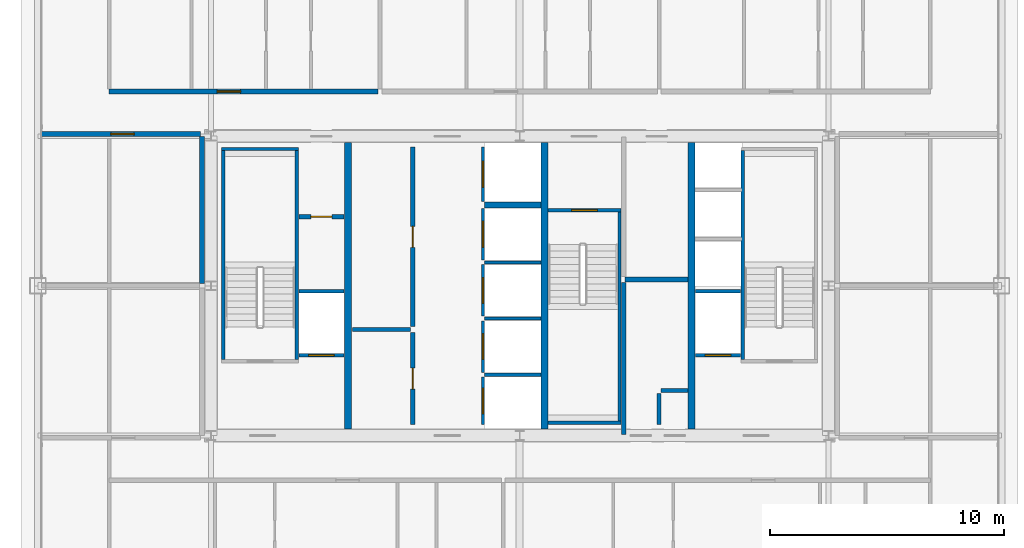
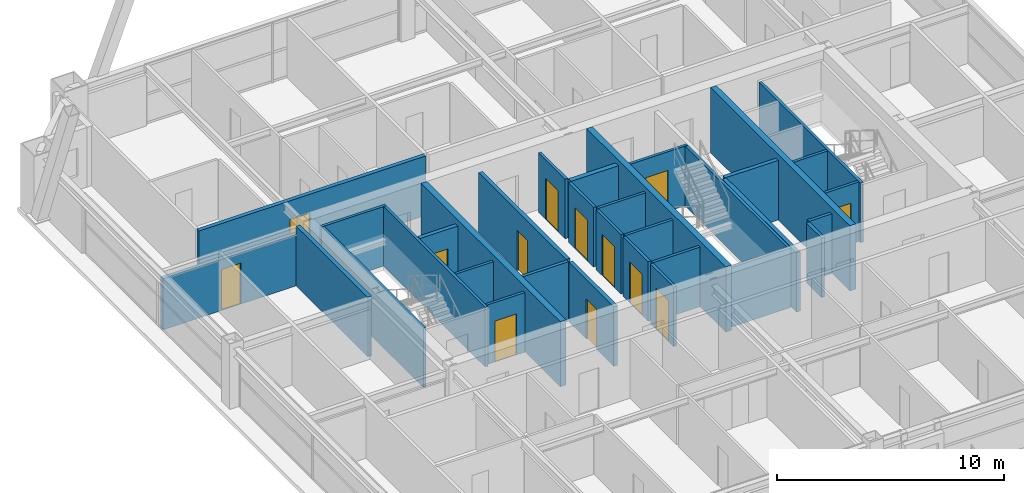
# One storey, part 32 of 36: 34 walls, 13 doors, 13 openings.
"""IFC4 building model written with IfcOpenShell, lengths in metres."""

from ifc_helpers import new_model, si_unit, direction, frame, frame_2d, origin, place, context, subcontext, project, spatial, rectangle, extrude, source, transform, mapped, material, layer, layer_set, type_object, element, fill, save


model = new_model("IFC4")

# Units and contexts
model_context = context("Model", 3, precision=1e-05, world=origin(), true_north=direction((0.0, 1.0)))
body_context = subcontext(model_context, "Body", "Model", "MODEL_VIEW")
ifc_project = project(units=[si_unit("LENGTHUNIT", "METRE"), si_unit("AREAUNIT", "SQUARE_METRE"), si_unit("VOLUMEUNIT", "CUBIC_METRE"), si_unit("PLANEANGLEUNIT", "RADIAN"), si_unit("MASSUNIT", "GRAM", prefix="KILO"), si_unit("THERMODYNAMICTEMPERATUREUNIT", "KELVIN"), si_unit("POWERUNIT", "WATT")], contexts=[model_context])

# Site, building, storey
site_placement = place(None, origin())
site = spatial("IfcSite", under=ifc_project, at=site_placement, CompositionType="ELEMENT")
building_placement = place(site_placement, origin())
building = spatial("IfcBuilding", under=site, at=building_placement, Name="Yuzanri Waterfront Tower", CompositionType="ELEMENT")
storey_placement = place(building_placement, frame((0.0, 0.0, 255.60009765625)))
storey = spatial("IfcBuildingStorey", under=building, at=storey_placement, Name="L68", CompositionType="ELEMENT", Elevation=255.60009765625)

# Wall, opening, door
ifc_material_1 = material(Name="Concrete C40", Category="concrete")
ifc_layer_1 = layer(ifc_material_1, 0.139892578125)
ifc_layer_set_1 = layer_set([ifc_layer_1], Name="Concrete C40")
wall_type_1 = type_object("IfcWallType", Name="Core Stair Liner and Hoistway Shaft Wall 140", PredefinedType="SOLIDWALL", material=ifc_layer_set_1)
wall_1_placement = place(storey_placement, frame((27.56005859375, 22.830078125, 0.0), z_axis=(0.0, 0.0, 1.0), x_axis=(1.0, 0.0, 0.0)))
wall_1 = element("IfcWall", 1, at=wall_1_placement, inside=storey, type_object=wall_type_1, Name="L68 Lift FL-01 Front Shaft Wall", PredefinedType="SOLIDWALL", context=body_context, shape_type="SweptSolid", body=[
    extrude(rectangle(XDim=1.919921875, YDim=0.139892578125, at=frame_2d((0.9599609375, 0.0))), origin(), (0.0, 0.0, 1.0), 3.199951171875),
])
opening_1_placement = place(wall_1_placement, frame((0.409912109375, 0.0, 0.0)))
opening_1 = element("IfcOpeningElement", 2, at=opening_1_placement, cuts=wall_1, Name="Opening LD-FL-01", PredefinedType="OPENING", context=body_context, shape_type="SweptSolid", body=[
    extrude(rectangle(XDim=1.10009765625, YDim=2.199951171875, at=frame_2d((0.550048828125, 1.10009765625))), frame((0.0, 0.0849609375, 0.0), z_axis=(0.0, -1.0, 0.0), x_axis=(1.0, 0.0, 0.0)), (0.0, 0.0, 1.0), 0.169677734375),
])
ifc_material_2 = material(Name="Brushed Bronze and Stainless Steel Cab", Category="steel")
door_type_1 = type_object("IfcDoorType", Name="Center-Parting Bronze Lift Landing Sliding Door 1100x2200", OperationType="NOTDEFINED", PredefinedType="DOOR", material=ifc_material_2)
shared_shape_1 = source(origin(), body_context, "Body", "SweptSolid", [
    extrude(rectangle(XDim=1.10009765625, YDim=2.199951171875, at=frame_2d((0.550048828125, 1.10009765625))), frame((0.0, 0.02490234375, 0.0), z_axis=(0.0, -1.0, 0.0), x_axis=(1.0, 0.0, 0.0)), (0.0, 0.0, 1.0), 0.050048828125),
])
door_1_placement = place(opening_1_placement, origin())
door_1 = element("IfcDoor", 3, at=door_1_placement, inside=storey, type_object=door_type_1, Name="L68 FL-01 Lift Landing Sliding Door", OperationType="SLIDING_TO_LEFT", OverallHeight=2.199951171875, OverallWidth=1.10009765625, PredefinedType="DOOR", context=body_context, shape_type="MappedRepresentation", body=[
    mapped(shared_shape_1, transform((0.0, 0.0, 0.0), scale=1.0)),
])
fill(opening_1, door_1)

wall_2_placement = place(storey_placement, frame((44.52001953125, 22.830078125, 0.0), z_axis=(0.0, 0.0, 1.0), x_axis=(1.0, 0.0, 0.0)))
wall_2 = element("IfcWall", 4, at=wall_2_placement, inside=storey, type_object=wall_type_1, Name="L68 Lift FL-02 Front Shaft Wall", PredefinedType="SOLIDWALL", context=body_context, shape_type="SweptSolid", body=[
    extrude(rectangle(XDim=1.919921875, YDim=0.139892578125, at=frame_2d((0.9599609375, 0.0))), origin(), (0.0, 0.0, 1.0), 3.199951171875),
])
opening_2_placement = place(wall_2_placement, frame((0.409912109375, 0.0, 0.0)))
opening_2 = element("IfcOpeningElement", 5, at=opening_2_placement, cuts=wall_2, Name="Opening LD-FL-02", PredefinedType="OPENING", context=body_context, shape_type="SweptSolid", body=[
    extrude(rectangle(XDim=1.10009765625, YDim=2.199951171875, at=frame_2d((0.550048828125, 1.10009765625))), frame((0.0, 0.0849609375, 0.0), z_axis=(0.0, -1.0, 0.0), x_axis=(1.0, 0.0, 0.0)), (0.0, 0.0, 1.0), 0.169677734375),
])
door_2_placement = place(opening_2_placement, origin())
door_2 = element("IfcDoor", 6, at=door_2_placement, inside=storey, type_object=door_type_1, Name="L68 FL-02 Lift Landing Sliding Door", OperationType="SLIDING_TO_RIGHT", OverallHeight=2.199951171875, OverallWidth=1.10009765625, PredefinedType="DOOR", context=body_context, shape_type="MappedRepresentation", body=[
    mapped(shared_shape_1, transform((0.0, 0.0, 0.0), scale=1.0)),
])
fill(opening_2, door_2)

wall_3_placement = place(storey_placement, frame((35.429931640625, 19.860107421875, 0.0), z_axis=(0.0, 0.0, 1.0), x_axis=(0.0, 1.0, 0.0)))
wall_3 = element("IfcWall", 7, at=wall_3_placement, inside=storey, type_object=wall_type_1, Name="L68 Lift PL-05 Front Shaft Wall", PredefinedType="SOLIDWALL", context=body_context, shape_type="SweptSolid", body=[
    extrude(rectangle(XDim=2.039794921875, YDim=0.139892578125, at=frame_2d((1.02001953125, 0.0))), origin(), (0.0, 0.0, 1.0), 3.199951171875),
])
opening_3_placement = place(wall_3_placement, frame((0.469970703125, 0.0, 0.0)))
opening_3 = element("IfcOpeningElement", 8, at=opening_3_placement, cuts=wall_3, Name="Opening LD-PL-05", PredefinedType="OPENING", context=body_context, shape_type="SweptSolid", body=[
    extrude(rectangle(XDim=1.10009765625, YDim=2.199951171875, at=frame_2d((0.550048828125, 1.10009765625))), frame((0.0, 0.0849609375, 0.0), z_axis=(0.0, -1.0, 0.0), x_axis=(1.0, 0.0, 0.0)), (0.0, 0.0, 1.0), 0.169677734375),
])
door_3_placement = place(opening_3_placement, origin())
door_3 = element("IfcDoor", 9, at=door_3_placement, inside=storey, type_object=door_type_1, Name="L68 PL-05 Lift Landing Sliding Door", OperationType="SLIDING_TO_RIGHT", OverallHeight=2.199951171875, OverallWidth=1.10009765625, PredefinedType="DOOR", context=body_context, shape_type="MappedRepresentation", body=[
    mapped(shared_shape_1, transform((0.0, 0.0, 0.0), scale=1.0)),
])
fill(opening_3, door_3)

wall_4_placement = place(storey_placement, frame((35.429931640625, 22.10009765625, 0.0), z_axis=(0.0, 0.0, 1.0), x_axis=(0.0, 1.0, 0.0)))
wall_4 = element("IfcWall", 10, at=wall_4_placement, inside=storey, type_object=wall_type_1, Name="L68 Lift PL-06 Front Shaft Wall", PredefinedType="SOLIDWALL", context=body_context, shape_type="SweptSolid", body=[
    extrude(rectangle(XDim=2.199951171875, YDim=0.139892578125, at=frame_2d((1.10009765625, 0.0))), origin(), (0.0, 0.0, 1.0), 3.199951171875),
])
opening_4_placement = place(wall_4_placement, frame((0.550048828125, 0.0, 0.0)))
opening_4 = element("IfcOpeningElement", 11, at=opening_4_placement, cuts=wall_4, Name="Opening LD-PL-06", PredefinedType="OPENING", context=body_context, shape_type="SweptSolid", body=[
    extrude(rectangle(XDim=1.10009765625, YDim=2.199951171875, at=frame_2d((0.550048828125, 1.10009765625))), frame((0.0, 0.0849609375, 0.0), z_axis=(0.0, -1.0, 0.0), x_axis=(1.0, 0.0, 0.0)), (0.0, 0.0, 1.0), 0.169677734375),
])
door_4_placement = place(opening_4_placement, origin())
door_4 = element("IfcDoor", 12, at=door_4_placement, inside=storey, type_object=door_type_1, Name="L68 PL-06 Lift Landing Sliding Door", OperationType="SLIDING_TO_LEFT", OverallHeight=2.199951171875, OverallWidth=1.10009765625, PredefinedType="DOOR", context=body_context, shape_type="MappedRepresentation", body=[
    mapped(shared_shape_1, transform((0.0, 0.0, 0.0), scale=1.0)),
])
fill(opening_4, door_4)

wall_5_placement = place(storey_placement, frame((35.429931640625, 24.5, 0.0), z_axis=(0.0, 0.0, 1.0), x_axis=(0.0, 1.0, 0.0)))
wall_5 = element("IfcWall", 13, at=wall_5_placement, inside=storey, type_object=wall_type_1, Name="L68 Lift PL-07 Front Shaft Wall", PredefinedType="SOLIDWALL", context=body_context, shape_type="SweptSolid", body=[
    extrude(rectangle(XDim=2.199951171875, YDim=0.139892578125, at=frame_2d((1.10009765625, 0.0))), origin(), (0.0, 0.0, 1.0), 3.199951171875),
])
opening_5_placement = place(wall_5_placement, frame((0.550048828125, 0.0, 0.0)))
opening_5 = element("IfcOpeningElement", 14, at=opening_5_placement, cuts=wall_5, Name="Opening LD-PL-07", PredefinedType="OPENING", context=body_context, shape_type="SweptSolid", body=[
    extrude(rectangle(XDim=1.10009765625, YDim=2.199951171875, at=frame_2d((0.550048828125, 1.10009765625))), frame((0.0, 0.0849609375, 0.0), z_axis=(0.0, -1.0, 0.0), x_axis=(1.0, 0.0, 0.0)), (0.0, 0.0, 1.0), 0.169677734375),
])
door_5_placement = place(opening_5_placement, origin())
door_5 = element("IfcDoor", 15, at=door_5_placement, inside=storey, type_object=door_type_1, Name="L68 PL-07 Lift Landing Sliding Door", OperationType="SLIDING_TO_RIGHT", OverallHeight=2.199951171875, OverallWidth=1.10009765625, PredefinedType="DOOR", context=body_context, shape_type="MappedRepresentation", body=[
    mapped(shared_shape_1, transform((0.0, 0.0, 0.0), scale=1.0)),
])
fill(opening_5, door_5)

wall_6_placement = place(storey_placement, frame((35.429931640625, 26.89990234375, 0.0), z_axis=(0.0, 0.0, 1.0), x_axis=(0.0, 1.0, 0.0)))
wall_6 = element("IfcWall", 16, at=wall_6_placement, inside=storey, type_object=wall_type_1, Name="L68 Lift PL-08 Front Shaft Wall", PredefinedType="SOLIDWALL", context=body_context, shape_type="SweptSolid", body=[
    extrude(rectangle(XDim=2.2001953125, YDim=0.139892578125, at=frame_2d((1.10009765625, 0.0))), origin(), (0.0, 0.0, 1.0), 3.199951171875),
])
opening_6_placement = place(wall_6_placement, frame((0.550048828125, 0.0, 0.0)))
opening_6 = element("IfcOpeningElement", 17, at=opening_6_placement, cuts=wall_6, Name="Opening LD-PL-08", PredefinedType="OPENING", context=body_context, shape_type="SweptSolid", body=[
    extrude(rectangle(XDim=1.10009765625, YDim=2.199951171875, at=frame_2d((0.550048828125, 1.10009765625))), frame((0.0, 0.0849609375, 0.0), z_axis=(0.0, -1.0, 0.0), x_axis=(1.0, 0.0, 0.0)), (0.0, 0.0, 1.0), 0.169677734375),
])
door_6_placement = place(opening_6_placement, origin())
door_6 = element("IfcDoor", 18, at=door_6_placement, inside=storey, type_object=door_type_1, Name="L68 PL-08 Lift Landing Sliding Door", OperationType="SLIDING_TO_LEFT", OverallHeight=2.199951171875, OverallWidth=1.10009765625, PredefinedType="DOOR", context=body_context, shape_type="MappedRepresentation", body=[
    mapped(shared_shape_1, transform((0.0, 0.0, 0.0), scale=1.0)),
])
fill(opening_6, door_6)

wall_7_placement = place(storey_placement, frame((35.429931640625, 29.39990234375, 0.0), z_axis=(0.0, 0.0, 1.0), x_axis=(0.0, 1.0, 0.0)))
wall_7 = element("IfcWall", 19, at=wall_7_placement, inside=storey, type_object=wall_type_1, Name="L68 Lift SL-02 Front Shaft Wall", PredefinedType="SOLIDWALL", context=body_context, shape_type="SweptSolid", body=[
    extrude(rectangle(XDim=2.340087890625, YDim=0.139892578125, at=frame_2d((1.169921875, 0.0))), origin(), (0.0, 0.0, 1.0), 3.199951171875),
])
opening_7_placement = place(wall_7_placement, frame((0.6201171875, 0.0, 0.0)))
opening_7 = element("IfcOpeningElement", 20, at=opening_7_placement, cuts=wall_7, Name="Opening LD-SL-02", PredefinedType="OPENING", context=body_context, shape_type="SweptSolid", body=[
    extrude(rectangle(XDim=1.10009765625, YDim=2.199951171875, at=frame_2d((0.550048828125, 1.10009765625))), frame((0.0, 0.0849609375, 0.0), z_axis=(0.0, -1.0, 0.0), x_axis=(1.0, 0.0, 0.0)), (0.0, 0.0, 1.0), 0.169677734375),
])
door_7_placement = place(opening_7_placement, origin())
door_7 = element("IfcDoor", 21, at=door_7_placement, inside=storey, type_object=door_type_1, Name="L68 SL-02 Lift Landing Sliding Door", OperationType="SLIDING_TO_RIGHT", OverallHeight=2.199951171875, OverallWidth=1.10009765625, PredefinedType="DOOR", context=body_context, shape_type="MappedRepresentation", body=[
    mapped(shared_shape_1, transform((0.0, 0.0, 0.0), scale=1.0)),
])
fill(opening_7, door_7)

wall_8_placement = place(storey_placement, frame((38.199951171875, 29.030029296875, 0.0), z_axis=(0.0, 0.0, 1.0), x_axis=(1.0, 0.0, 0.0)))
wall_8 = element("IfcWall", 22, at=wall_8_placement, inside=storey, type_object=wall_type_1, Name="L68 Shaft Wall STW-L68-ST-03-N", PredefinedType="SOLIDWALL", context=body_context, shape_type="SweptSolid", body=[
    extrude(rectangle(XDim=3.14013671875, YDim=0.139892578125, at=frame_2d((1.570068359375, 0.0))), origin(), (0.0, 0.0, 1.0), 3.199951171875),
])
opening_8_placement = place(wall_8_placement, frame((1.02001953125, 0.0, 0.0)))
opening_8 = element("IfcOpeningElement", 23, at=opening_8_placement, cuts=wall_8, Name="Opening FD-1100", PredefinedType="OPENING", context=body_context, shape_type="SweptSolid", body=[
    extrude(rectangle(XDim=1.10009765625, YDim=2.199951171875, at=frame_2d((0.550048828125, 1.10009765625))), frame((0.0, 0.0849609375, 0.0), z_axis=(0.0, -1.0, 0.0), x_axis=(1.0, 0.0, 0.0)), (0.0, 0.0, 1.0), 0.169677734375),
])
ifc_material_3 = material(Name="Painted Galvanized Fire Steel", Category="steel")
door_type_2 = type_object("IfcDoorType", Name="Smoke-Proof Stair and Lobby Fire Door 1100x2200", OperationType="NOTDEFINED", PredefinedType="DOOR", material=ifc_material_3)
shared_shape_2 = source(origin(), body_context, "Body", "SweptSolid", [
    extrude(rectangle(XDim=1.10009765625, YDim=2.199951171875, at=frame_2d((0.550048828125, 1.10009765625))), frame((0.0, 0.02490234375, 0.0), z_axis=(0.0, -1.0, 0.0), x_axis=(1.0, 0.0, 0.0)), (0.0, 0.0, 1.0), 0.050048828125),
])
door_8_placement = place(opening_8_placement, origin())
door_8 = element("IfcDoor", 24, at=door_8_placement, inside=storey, type_object=door_type_2, Name="L68 Stair ST-03 Fire Door", OperationType="SINGLE_SWING_LEFT", OverallHeight=2.199951171875, OverallWidth=1.10009765625, PredefinedType="DOOR", context=body_context, shape_type="MappedRepresentation", body=[
    mapped(shared_shape_2, transform((0.0, 0.0, 0.0), scale=1.0)),
])
fill(opening_8, door_8)

ifc_material_4 = material(Name="Autoclaved Aerated Concrete Blockwork", Category="masonry")
ifc_layer_2 = layer(ifc_material_4, 0.199951171875)
ifc_layer_set_2 = layer_set([ifc_layer_2], Name="Autoclaved Aerated Concrete Blockwork")
wall_type_2 = type_object("IfcWallType", Name="Corridor and Unit Party Fire Wall 200", PredefinedType="PARTITIONING", material=ifc_layer_set_2)
wall_9_placement = place(storey_placement, frame((27.56005859375, 28.75, 0.0), z_axis=(0.0, 0.0, 1.0), x_axis=(1.0, 0.0, 0.0)))
wall_9 = element("IfcWall", 25, at=wall_9_placement, inside=storey, type_object=wall_type_2, Name="L68 Partition CRW-L68-ERTR", PredefinedType="PARTITIONING", context=body_context, shape_type="SweptSolid", body=[
    extrude(rectangle(XDim=1.919921875, YDim=0.199951171875, at=frame_2d((0.9599609375, 0.0))), origin(), (0.0, 0.0, 1.0), 3.199951171875),
])
opening_9_placement = place(wall_9_placement, frame((0.510009765625, 0.0, 0.0)))
opening_9 = element("IfcOpeningElement", 26, at=opening_9_placement, cuts=wall_9, Name="Opening FD-0900", PredefinedType="OPENING", context=body_context, shape_type="SweptSolid", body=[
    extrude(rectangle(XDim=0.89990234375, YDim=2.14990234375, at=frame_2d((0.449951171875, 1.074951171875))), frame((0.0, 0.11474609375, 0.0), z_axis=(0.0, -1.0, 0.0), x_axis=(1.0, 0.0, 0.0)), (0.0, 0.0, 1.0), 0.229736328125),
])
ifc_material_5 = material(Name="Painted Galvanized Fire Steel", Category="steel")
door_type_3 = type_object("IfcDoorType", Name="Riser and Service Room Fire Door 900x2150", OperationType="NOTDEFINED", PredefinedType="DOOR", material=ifc_material_5)
shared_shape_3 = source(origin(), body_context, "Body", "SweptSolid", [
    extrude(rectangle(XDim=0.89990234375, YDim=2.14990234375, at=frame_2d((0.449951171875, 1.074951171875))), frame((0.0, 0.02490234375, 0.0), z_axis=(0.0, -1.0, 0.0), x_axis=(1.0, 0.0, 0.0)), (0.0, 0.0, 1.0), 0.050048828125),
])
door_9_placement = place(opening_9_placement, origin())
door_9 = element("IfcDoor", 27, at=door_9_placement, inside=storey, type_object=door_type_3, Name="L68 Electrical Riser Door", OperationType="SINGLE_SWING_RIGHT", OverallHeight=2.14990234375, OverallWidth=0.89990234375, PredefinedType="DOOR", context=body_context, shape_type="MappedRepresentation", body=[
    mapped(shared_shape_3, transform((0.0, 0.0, 0.0), scale=1.0)),
])
fill(opening_9, door_9)

wall_10_placement = place(storey_placement, frame((32.419921875, 19.860107421875, 0.0), z_axis=(0.0, 0.0, 1.0), x_axis=(0.0, 1.0, 0.0)))
wall_10 = element("IfcWall", 28, at=wall_10_placement, inside=storey, type_object=wall_type_2, Name="L68 Partition CRW-L68-B1R-1", PredefinedType="PARTITIONING", context=body_context, shape_type="SweptSolid", body=[
    extrude(rectangle(XDim=3.93994140625, YDim=0.199951171875, at=frame_2d((1.969970703125, 0.0))), origin(), (0.0, 0.0, 1.0), 3.199951171875),
])
opening_10_placement = place(wall_10_placement, frame((1.52001953125, 0.0, 0.0)))
opening_10 = element("IfcOpeningElement", 29, at=opening_10_placement, cuts=wall_10, Name="Opening FD-0900", PredefinedType="OPENING", context=body_context, shape_type="SweptSolid", body=[
    extrude(rectangle(XDim=0.89990234375, YDim=2.14990234375, at=frame_2d((0.449951171875, 1.074951171875))), frame((0.0, 0.11474609375, 0.0), z_axis=(0.0, -1.0, 0.0), x_axis=(1.0, 0.0, 0.0)), (0.0, 0.0, 1.0), 0.229736328125),
])
door_10_placement = place(opening_10_placement, origin())
door_10 = element("IfcDoor", 30, at=door_10_placement, inside=storey, type_object=door_type_3, Name="L68 Janitor Supply Store Room", OperationType="SINGLE_SWING_LEFT", OverallHeight=2.14990234375, OverallWidth=0.89990234375, PredefinedType="DOOR", context=body_context, shape_type="MappedRepresentation", body=[
    mapped(shared_shape_3, transform((0.0, 0.0, 0.0), scale=1.0)),
])
fill(opening_10, door_10)

wall_11_placement = place(storey_placement, frame((32.419921875, 24.050048828125, 0.0), z_axis=(0.0, 0.0, 1.0), x_axis=(0.0, 1.0, 0.0)))
wall_11 = element("IfcWall", 31, at=wall_11_placement, inside=storey, type_object=wall_type_2, Name="L68 Partition CRW-L68-B1R-2", PredefinedType="PARTITIONING", context=body_context, shape_type="SweptSolid", body=[
    extrude(rectangle(XDim=7.68994140625, YDim=0.199951171875, at=frame_2d((3.844970703125, 0.0))), origin(), (0.0, 0.0, 1.0), 3.199951171875),
])
opening_11_placement = place(wall_11_placement, frame((3.39501953125, 0.0, 0.0)))
opening_11 = element("IfcOpeningElement", 32, at=opening_11_placement, cuts=wall_11, Name="Opening FD-0900", PredefinedType="OPENING", context=body_context, shape_type="SweptSolid", body=[
    extrude(rectangle(XDim=0.89990234375, YDim=2.14990234375, at=frame_2d((0.449951171875, 1.074951171875))), frame((0.0, 0.11474609375, 0.0), z_axis=(0.0, -1.0, 0.0), x_axis=(1.0, 0.0, 0.0)), (0.0, 0.0, 1.0), 0.229736328125),
])
door_11_placement = place(opening_11_placement, origin())
door_11 = element("IfcDoor", 33, at=door_11_placement, inside=storey, type_object=door_type_3, Name="L68 Common Store Room", OperationType="SINGLE_SWING_RIGHT", OverallHeight=2.14990234375, OverallWidth=0.89990234375, PredefinedType="DOOR", context=body_context, shape_type="MappedRepresentation", body=[
    mapped(shared_shape_3, transform((0.0, 0.0, 0.0), scale=1.0)),
])
fill(opening_11, door_11)

wall_12_placement = place(storey_placement, frame((19.43994140625, 34.110107421875, 0.0), z_axis=(0.0, 0.0, 1.0), x_axis=(1.0, 0.0, 0.0)))
wall_12 = element("IfcWall", 34, at=wall_12_placement, inside=storey, type_object=wall_type_2, Name="L68 Partition UW-L68-RN1-CS", PredefinedType="PARTITIONING", context=body_context, shape_type="SweptSolid", body=[
    extrude(rectangle(XDim=11.510009765625, YDim=0.199951171875, at=frame_2d((5.7548828125, 0.0))), origin(), (0.0, 0.0, 1.0), 3.199951171875),
])
opening_12_placement = place(wall_12_placement, frame((4.6259765625, 0.0, 0.0)))
opening_12 = element("IfcOpeningElement", 35, at=opening_12_placement, cuts=wall_12, Name="Opening FD-1000", PredefinedType="OPENING", context=body_context, shape_type="SweptSolid", body=[
    extrude(rectangle(XDim=1.0, YDim=2.199951171875, at=frame_2d((0.5, 1.10009765625))), frame((0.0, 0.11474609375, 0.0), z_axis=(0.0, -1.0, 0.0), x_axis=(1.0, 0.0, 0.0)), (0.0, 0.0, 1.0), 0.229736328125),
])
ifc_material_6 = material(Name="Engineered Oak Fire-Rated Timber", Category="wood")
door_type_4 = type_object("IfcDoorType", Name="Guestroom and Apartment Entrance Fire Door 1000x2200", OperationType="NOTDEFINED", PredefinedType="DOOR", material=ifc_material_6)
shared_shape_4 = source(origin(), body_context, "Body", "SweptSolid", [
    extrude(rectangle(XDim=1.0, YDim=2.199951171875, at=frame_2d((0.5, 1.10009765625))), frame((0.0, 0.02490234375, 0.0), z_axis=(0.0, -1.0, 0.0), x_axis=(1.0, 0.0, 0.0)), (0.0, 0.0, 1.0), 0.050048828125),
])
door_12_placement = place(opening_12_placement, origin())
door_12 = element("IfcDoor", 36, at=door_12_placement, inside=storey, type_object=door_type_4, Name="L68 Apartment Living Room Entrance Door", OperationType="SINGLE_SWING_RIGHT", OverallHeight=2.199951171875, OverallWidth=1.0, PredefinedType="DOOR", context=body_context, shape_type="MappedRepresentation", body=[
    mapped(shared_shape_4, transform((0.0, 0.0, 0.0), scale=1.0)),
])
fill(opening_12, door_12)

wall_13_placement = place(storey_placement, frame((16.550048828125, 32.2900390625, 0.0), z_axis=(0.0, 0.0, 1.0), x_axis=(1.0, 0.0, 0.0)))
wall_13 = element("IfcWall", 37, at=wall_13_placement, inside=storey, type_object=wall_type_2, Name="L68 Partition UW-L68-049-CN", PredefinedType="PARTITIONING", context=body_context, shape_type="SweptSolid", body=[
    extrude(rectangle(XDim=6.800048828125, YDim=0.199951171875, at=frame_2d((3.39990234375, 0.0))), origin(), (0.0, 0.0, 1.0), 2.744873046875),
])
opening_13_placement = place(wall_13_placement, frame((2.965087890625, 0.0, 0.0)))
opening_13 = element("IfcOpeningElement", 38, at=opening_13_placement, cuts=wall_13, Name="Opening FD-1000", PredefinedType="OPENING", context=body_context, shape_type="SweptSolid", body=[
    extrude(rectangle(XDim=1.0, YDim=2.199951171875, at=frame_2d((0.5, 1.10009765625))), frame((0.0, 0.11474609375, 0.0), z_axis=(0.0, -1.0, 0.0), x_axis=(1.0, 0.0, 0.0)), (0.0, 0.0, 1.0), 0.229736328125),
])
door_13_placement = place(opening_13_placement, origin())
door_13 = element("IfcDoor", 39, at=door_13_placement, inside=storey, type_object=door_type_4, Name="L68 Residents W Yoga Gym Studio Entrance Door", OperationType="SINGLE_SWING_RIGHT", OverallHeight=2.199951171875, OverallWidth=1.0, PredefinedType="DOOR", context=body_context, shape_type="MappedRepresentation", body=[
    mapped(shared_shape_4, transform((0.0, 0.0, 0.0), scale=1.0)),
])
fill(opening_13, door_13)

# Walls
ifc_material_7 = material(Name="Concrete C50", Category="concrete")
ifc_layer_3 = layer(ifc_material_7, 0.300048828125)
ifc_layer_set_3 = layer_set([ifc_layer_3], Name="Concrete C50")
wall_type_3 = type_object("IfcWallType", Name="Concrete C50 Internal Core Shaft Structural Wall 300", PredefinedType="SOLIDWALL", material=ifc_layer_set_3)
shared_shape_5 = source(origin(), body_context, "Body", "SweptSolid", [
    extrude(rectangle(XDim=12.25, YDim=0.300048828125, at=frame_2d((6.125, 0.0))), origin(), (0.0, 0.0, 1.0), 3.5),
])
for number, where, z_axis, x_axis, name in (
    (40, (29.64990234375, 19.675048828125, 0.0), (0.0, 0.0, 1.0), (0.0, 1.0, 0.0), "L68 Core Internal Structural Web Wall 1"),
    (41, (38.050048828125, 19.675048828125, 0.0), (0.0, 0.0, 1.0), (0.0, 1.0, 0.0), "L68 Core Internal Structural Web Wall 2"),
    (42, (44.35009765625, 19.675048828125, 0.0), (0.0, 0.0, 1.0), (0.0, 1.0, 0.0), "L68 Core Internal Structural Web Wall 3"),
):
    element("IfcWall", number, at=place(storey_placement, frame(where, z_axis=z_axis, x_axis=x_axis)), inside=storey, type_object=wall_type_3, Name=name, PredefinedType="SOLIDWALL", context=body_context, shape_type="MappedRepresentation", body=[
        mapped(shared_shape_5, transform((0.0, 0.0, 0.0), scale=1.0)),
    ])
shared_shape_6 = source(origin(), body_context, "Body", "SweptSolid", [
    extrude(rectangle(XDim=1.919921875, YDim=0.139892578125, at=frame_2d((0.9599609375, 0.0))), origin(), (0.0, 0.0, 1.0), 3.199951171875),
])
for number, where, z_axis, x_axis, name in (
    (43, (27.56005859375, 25.570068359375, 0.0), (0.0, 0.0, 1.0), (1.0, 0.0, 0.0), "L68 Lift FL-01 Back Shaft Wall"),
    (44, (44.52001953125, 25.570068359375, 0.0), (0.0, 0.0, 1.0), (1.0, 0.0, 0.0), "L68 Lift FL-02 Back Shaft Wall"),
):
    element("IfcWall", number, at=place(storey_placement, frame(where, z_axis=z_axis, x_axis=x_axis)), inside=storey, type_object=wall_type_1, Name=name, PredefinedType="SOLIDWALL", context=body_context, shape_type="MappedRepresentation", body=[
        mapped(shared_shape_6, transform((0.0, 0.0, 0.0), scale=1.0)),
    ])
shared_shape_7 = source(origin(), body_context, "Body", "SweptSolid", [
    extrude(rectangle(XDim=2.39990234375, YDim=0.139892578125, at=frame_2d((1.199951171875, 0.0))), origin(), (0.0, 0.0, 1.0), 3.199951171875),
])
for number, where, z_axis, x_axis, name in (
    (45, (35.5, 22.0, 0.0), (0.0, 0.0, 1.0), (1.0, 0.0, 0.0), "L68 Lift PL-05 Divider Wall"),
    (46, (35.5, 24.39990234375, 0.0), (0.0, 0.0, 1.0), (1.0, 0.0, 0.0), "L68 Lift PL-06 Divider Wall"),
    (47, (35.5, 26.800048828125, 0.0), (0.0, 0.0, 1.0), (1.0, 0.0, 0.0), "L68 Lift PL-07 Divider Wall"),
):
    element("IfcWall", number, at=place(storey_placement, frame(where, z_axis=z_axis, x_axis=x_axis)), inside=storey, type_object=wall_type_1, Name=name, PredefinedType="SOLIDWALL", context=body_context, shape_type="MappedRepresentation", body=[
        mapped(shared_shape_7, transform((0.0, 0.0, 0.0), scale=1.0)),
    ])
ifc_material_8 = material(Name="Concrete C40", Category="concrete")
ifc_layer_4 = layer(ifc_material_8, 0.25)
ifc_layer_set_4 = layer_set([ifc_layer_4], Name="Concrete C40")
wall_type_4 = type_object("IfcWallType", Name="Smoke-Proof Stair and Lift Shaft Wall 250", PredefinedType="SOLIDWALL", material=ifc_layer_set_4)
shared_shape_8 = source(origin(), body_context, "Body", "SweptSolid", [
    extrude(rectangle(XDim=2.39990234375, YDim=0.25, at=frame_2d((1.199951171875, 0.0))), origin(), (0.0, 0.0, 1.0), 3.199951171875),
])
wall_14_placement = place(storey_placement, frame((35.5, 29.25, 0.0), z_axis=(0.0, 0.0, 1.0), x_axis=(1.0, 0.0, 0.0)))
element("IfcWall", 48, at=wall_14_placement, inside=storey, type_object=wall_type_4, Name="L68 Lift SL-02 South Shaft Wall", PredefinedType="SOLIDWALL", context=body_context, shape_type="MappedRepresentation", body=[
    mapped(shared_shape_8, transform((0.0, 0.0, 0.0), scale=1.0)),
])
shared_shape_9 = source(origin(), body_context, "Body", "SweptSolid", [
    extrude(rectangle(XDim=3.280029296875, YDim=0.139892578125, at=frame_2d((1.64013671875, 0.0))), origin(), (0.0, 0.0, 1.0), 3.199951171875),
])
wall_15_placement = place(storey_placement, frame((24.260009765625, 31.64990234375, 0.0), z_axis=(0.0, 0.0, 1.0), x_axis=(1.0, 0.0, 0.0)))
element("IfcWall", 49, at=wall_15_placement, inside=storey, type_object=wall_type_1, Name="L68 Stair ST-01 North Shaft Wall", PredefinedType="SOLIDWALL", context=body_context, shape_type="MappedRepresentation", body=[
    mapped(shared_shape_9, transform((0.0, 0.0, 0.0), scale=1.0)),
])
shared_shape_10 = source(origin(), body_context, "Body", "SweptSolid", [
    extrude(rectangle(XDim=8.940185546875, YDim=0.139892578125, at=frame_2d((4.47021484375, 0.0))), origin(), (0.0, 0.0, 1.0), 3.199951171875),
])
for number, where, z_axis, x_axis, name in (
    (50, (24.330078125, 22.639892578125, 0.0), (0.0, 0.0, 1.0), (0.0, 1.0, 0.0), "L68 Stair ST-01 West Shaft Wall"),
    (51, (27.469970703125, 22.639892578125, 0.0), (0.0, 0.0, 1.0), (0.0, 1.0, 0.0), "L68 Stair ST-01 East Shaft Wall"),
    (52, (46.530029296875, 22.639892578125, 0.0), (0.0, 0.0, 1.0), (0.0, 1.0, 0.0), "L68 Stair ST-02 West Shaft Wall"),
):
    element("IfcWall", number, at=place(storey_placement, frame(where, z_axis=z_axis, x_axis=x_axis)), inside=storey, type_object=wall_type_1, Name=name, PredefinedType="SOLIDWALL", context=body_context, shape_type="MappedRepresentation", body=[
        mapped(shared_shape_10, transform((0.0, 0.0, 0.0), scale=1.0)),
    ])
shared_shape_11 = source(origin(), body_context, "Body", "SweptSolid", [
    extrude(rectangle(XDim=3.14013671875, YDim=0.139892578125, at=frame_2d((1.570068359375, 0.0))), origin(), (0.0, 0.0, 1.0), 3.199951171875),
])
wall_16_placement = place(storey_placement, frame((38.199951171875, 19.949951171875, 0.0), z_axis=(0.0, 0.0, 1.0), x_axis=(1.0, 0.0, 0.0)))
element("IfcWall", 53, at=wall_16_placement, inside=storey, type_object=wall_type_1, Name="L68 Stair ST-03 South Shaft Wall", PredefinedType="SOLIDWALL", context=body_context, shape_type="MappedRepresentation", body=[
    mapped(shared_shape_11, transform((0.0, 0.0, 0.0), scale=1.0)),
])
shared_shape_12 = source(origin(), body_context, "Body", "SweptSolid", [
    extrude(rectangle(XDim=8.93994140625, YDim=0.139892578125, at=frame_2d((4.469970703125, 0.0))), origin(), (0.0, 0.0, 1.0), 3.199951171875),
])
wall_17_placement = place(storey_placement, frame((41.27001953125, 20.02001953125, 0.0), z_axis=(0.0, 0.0, 1.0), x_axis=(0.0, 1.0, 0.0)))
element("IfcWall", 54, at=wall_17_placement, inside=storey, type_object=wall_type_1, Name="L68 Stair ST-03 East Shaft Wall", PredefinedType="SOLIDWALL", context=body_context, shape_type="MappedRepresentation", body=[
    mapped(shared_shape_12, transform((0.0, 0.0, 0.0), scale=1.0)),
])
ifc_material_9 = material(Name="Gypsum Fireboard Acoustic Stud Wall", Category="gypsum")
ifc_layer_5 = layer(ifc_material_9, 0.159912109375)
ifc_layer_set_5 = layer_set([ifc_layer_5], Name="Gypsum Fireboard Acoustic Stud Wall")
wall_type_5 = type_object("IfcWallType", Name="Acoustic Suite Demising Partition 160", PredefinedType="PARTITIONING", material=ifc_layer_set_5)
shared_shape_13 = source(origin(), body_context, "Body", "SweptSolid", [
    extrude(rectangle(XDim=2.469970703125, YDim=0.159912109375, at=frame_2d((1.23486328125, 0.0))), origin(), (0.0, 0.0, 1.0), 3.199951171875),
])
wall_18_placement = place(storey_placement, frame((29.85009765625, 23.929931640625, 0.0), z_axis=(0.0, 0.0, 1.0), x_axis=(1.0, 0.0, 0.0)))
element("IfcWall", 55, at=wall_18_placement, inside=storey, type_object=wall_type_5, Name="L68 Reclaimed Core Divider 2", PredefinedType="PARTITIONING", context=body_context, shape_type="MappedRepresentation", body=[
    mapped(shared_shape_13, transform((0.0, 0.0, 0.0), scale=1.0)),
])
shared_shape_14 = source(origin(), body_context, "Body", "SweptSolid", [
    extrude(rectangle(XDim=1.33984375, YDim=0.159912109375, at=frame_2d((0.669921875, 0.0))), origin(), (0.0, 0.0, 1.0), 3.199951171875),
])
wall_19_placement = place(storey_placement, frame((42.949951171875, 19.860107421875, 0.0), z_axis=(0.0, 0.0, 1.0), x_axis=(0.0, 1.0, 0.0)))
element("IfcWall", 56, at=wall_19_placement, inside=storey, type_object=wall_type_5, Name="L68 East Wet Riser West Wall", PredefinedType="PARTITIONING", context=body_context, shape_type="MappedRepresentation", body=[
    mapped(shared_shape_14, transform((0.0, 0.0, 0.0), scale=1.0)),
])
shared_shape_15 = source(origin(), body_context, "Body", "SweptSolid", [
    extrude(rectangle(XDim=1.169921875, YDim=0.159912109375, at=frame_2d((0.5849609375, 0.0))), origin(), (0.0, 0.0, 1.0), 3.199951171875),
])
wall_20_placement = place(storey_placement, frame((43.030029296875, 21.320068359375, 0.0), z_axis=(0.0, 0.0, 1.0), x_axis=(1.0, 0.0, 0.0)))
element("IfcWall", 57, at=wall_20_placement, inside=storey, type_object=wall_type_5, Name="L68 East Wet Riser North Wall", PredefinedType="PARTITIONING", context=body_context, shape_type="MappedRepresentation", body=[
    mapped(shared_shape_15, transform((0.0, 0.0, 0.0), scale=1.0)),
])
shared_shape_16 = source(origin(), body_context, "Body", "SweptSolid", [
    extrude(rectangle(XDim=6.510009765625, YDim=0.199951171875, at=frame_2d((3.2548828125, 0.0))), origin(), (0.0, 0.0, 1.0), 3.199951171875),
])
wall_21_placement = place(storey_placement, frame((41.449951171875, 19.43994140625, 0.0), z_axis=(0.0, 0.0, 1.0), x_axis=(0.0, 1.0, 0.0)))
element("IfcWall", 58, at=wall_21_placement, inside=storey, type_object=wall_type_2, Name="L68 Core BOH West Wall 1", PredefinedType="PARTITIONING", context=body_context, shape_type="MappedRepresentation", body=[
    mapped(shared_shape_16, transform((0.0, 0.0, 0.0), scale=1.0)),
])
shared_shape_17 = source(origin(), body_context, "Body", "SweptSolid", [
    extrude(rectangle(XDim=2.699951171875, YDim=0.199951171875, at=frame_2d((1.35009765625, 0.0))), origin(), (0.0, 0.0, 1.0), 3.199951171875),
])
wall_22_placement = place(storey_placement, frame((41.5, 26.070068359375, 0.0), z_axis=(0.0, 0.0, 1.0), x_axis=(1.0, 0.0, 0.0)))
element("IfcWall", 59, at=wall_22_placement, inside=storey, type_object=wall_type_2, Name="L68 Core BOH Split Wall 1", PredefinedType="PARTITIONING", context=body_context, shape_type="MappedRepresentation", body=[
    mapped(shared_shape_17, transform((0.0, 0.0, 0.0), scale=1.0)),
])
shared_shape_18 = source(origin(), body_context, "Body", "SweptSolid", [
    extrude(rectangle(XDim=6.2900390625, YDim=0.199951171875, at=frame_2d((3.14501953125, 0.0))), origin(), (0.0, 0.0, 1.0), 3.199951171875),
])
wall_23_placement = place(storey_placement, frame((23.419921875, 25.89990234375, 0.0), z_axis=(0.0, 0.0, 1.0), x_axis=(0.0, 1.0, 0.0)))
element("IfcWall", 60, at=wall_23_placement, inside=storey, type_object=wall_type_2, Name="L68-049 Wing Inner Core-Side Wall", PredefinedType="PARTITIONING", context=body_context, shape_type="MappedRepresentation", body=[
    mapped(shared_shape_18, transform((0.0, 0.0, 0.0), scale=1.0)),
])

save(model, "model.ifc")
